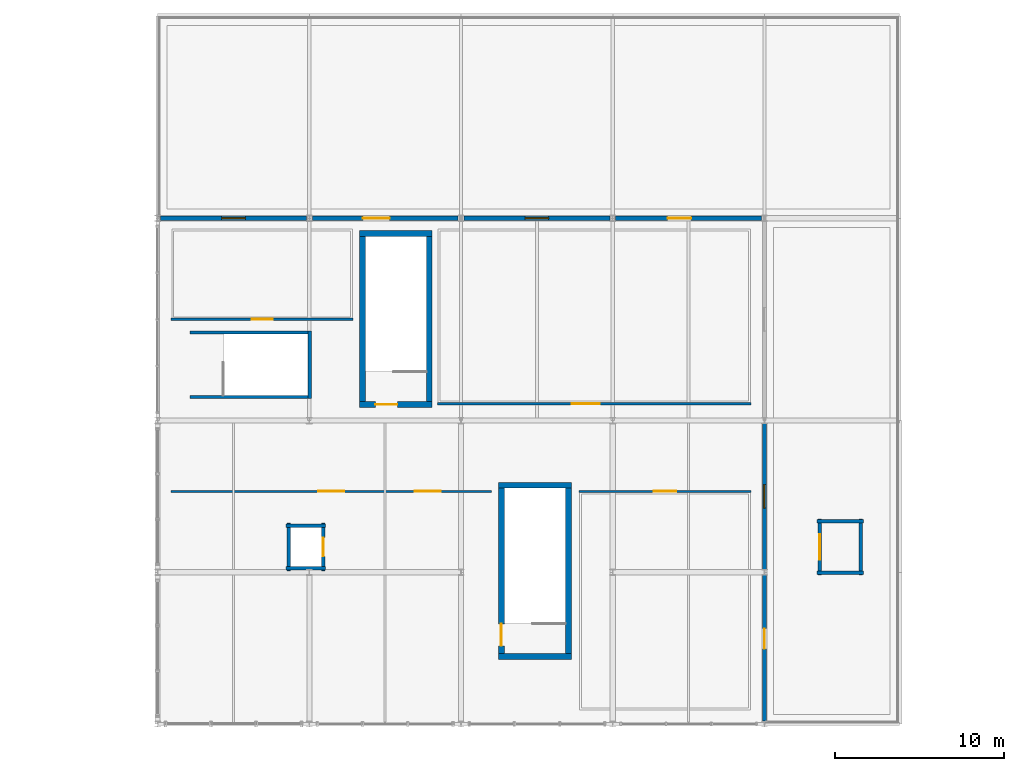
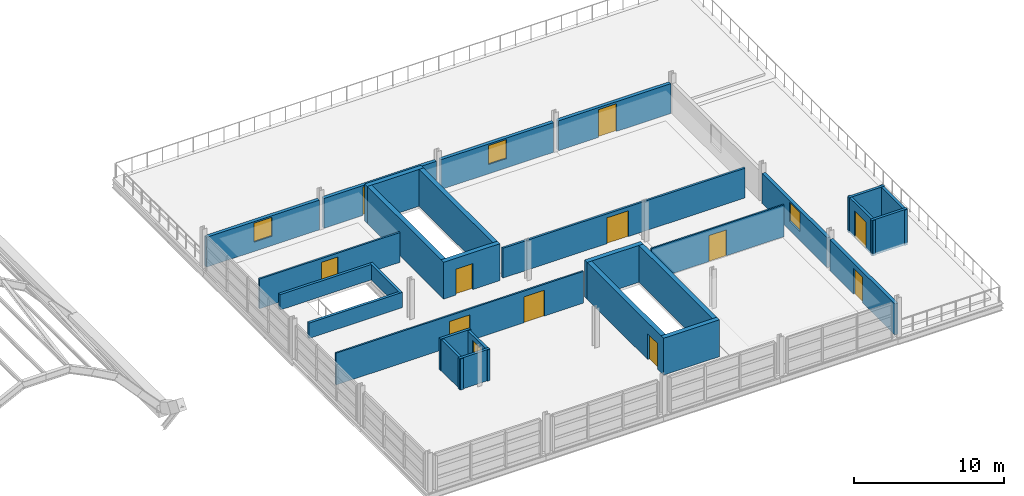
# One storey, part 77 of 86: 29 walls, 12 doors, 3 windows, 15 openings.
"""IFC4 building model written with IfcOpenShell, lengths in metres."""

from ifc_helpers import new_model, si_unit, direction, frame, frame_2d, origin, place, context, subcontext, project, spatial, rectangle, extrude, material, layer, layer_set, type_object, element, fill, save


model = new_model("IFC4")

# Units and contexts
model_context = context("Model", 3, precision=1e-05, world=origin(), true_north=direction((0.0, 1.0)))
body_context = subcontext(model_context, "Body", "Model", "MODEL_VIEW")
ifc_project = project(units=[si_unit("LENGTHUNIT", "METRE"), si_unit("AREAUNIT", "SQUARE_METRE"), si_unit("VOLUMEUNIT", "CUBIC_METRE"), si_unit("PLANEANGLEUNIT", "RADIAN"), si_unit("MASSUNIT", "GRAM", prefix="KILO")], contexts=[model_context])

# Site, building, storey
site_placement = place(None, origin())
site = spatial("IfcSite", under=ifc_project, at=site_placement, CompositionType="ELEMENT")
building_placement = place(site_placement, origin())
building = spatial("IfcBuilding", under=site, at=building_placement, Name="Chuanluo Vaults Station", CompositionType="ELEMENT")
storey_placement = place(building_placement, frame((0.0, 0.0, 14.39990234375)))
storey = spatial("IfcBuildingStorey", under=building, at=storey_placement, Name="L03", CompositionType="ELEMENT", Elevation=14.39990234375)

# Walls
ifc_material_1 = material(Name="Concrete C50", Category="concrete")
ifc_layer_1 = layer(ifc_material_1, 0.35009765625)
ifc_layer_set_1 = layer_set([ifc_layer_1], Name="Concrete C50")
wall_type_1 = type_object("IfcWallType", Name="WL-COR-350", PredefinedType="SHEAR", material=ifc_layer_set_1)
for number, where, z_axis, x_axis, name in (
    (1, (152.112548828125, 18.77490234375, 0.0), (0.0, 0.0, 1.0), (0.0, 1.0, 0.0), "Core K4 left shear wall"),
    (2, (148.142578125, 29.2724609375, 0.0), (0.0, 0.0, 1.0), (0.0, -1.0, 0.0), "Core K4 right shear wall"),
):
    element("IfcWall", number, at=place(storey_placement, frame(where, z_axis=z_axis, x_axis=x_axis)), inside=storey, type_object=wall_type_1, Name=name, PredefinedType="SHEAR", context=body_context, shape_type="SweptSolid", body=[
        extrude(rectangle(XDim=10.49755859375, YDim=0.35009765625, at=frame_2d((5.248779296875, 0.0))), origin(), (0.0, 0.0, 1.0), 2.9951171875),
    ])
wall_1_placement = place(storey_placement, frame((152.28759765625, 29.097412109375, 0.0), z_axis=(0.0, 0.0, 1.0), x_axis=(-1.0, 0.0, 0.0)))
element("IfcWall", 3, at=wall_1_placement, inside=storey, type_object=wall_type_1, Name="Core K4 far shear wall", PredefinedType="SHEAR", context=body_context, shape_type="SweptSolid", body=[
    extrude(rectangle(XDim=4.320068359375, YDim=0.35009765625, at=frame_2d((2.16015625, 0.0))), origin(), (0.0, 0.0, 1.0), 2.9951171875),
])

# Wall, opening, door
wall_2_placement = place(storey_placement, frame((147.967529296875, 18.949951171875, 0.0), z_axis=(0.0, 0.0, 1.0), x_axis=(1.0, 0.0, 0.0)))
wall_2 = element("IfcWall", 4, at=wall_2_placement, inside=storey, type_object=wall_type_1, Name="Core K4 near shear wall", PredefinedType="SHEAR", context=body_context, shape_type="SweptSolid", body=[
    extrude(rectangle(XDim=4.320068359375, YDim=0.35009765625, at=frame_2d((2.16015625, 0.0))), origin(), (0.0, 0.0, 1.0), 2.9951171875),
])
opening_1_placement = place(wall_2_placement, frame((0.949951171875, 0.0, 0.0)))
opening_1 = element("IfcOpeningElement", 5, at=opening_1_placement, cuts=wall_2, Name="Opening FD-05", PredefinedType="OPENING", context=body_context, shape_type="SweptSolid", body=[
    extrude(rectangle(XDim=1.300048828125, YDim=2.10009765625, at=frame_2d((0.64990234375, 1.050048828125))), frame((0.0, 0.18505, 0.0), z_axis=(0.0, -1.0, 0.0), x_axis=(1.0, 0.0, 0.0)), (0.0, 0.0, 1.0), 0.3701),
])
ifc_material_2 = material(Name="Fire-rated steel leaf", Category="steel")
door_type_1 = type_object("IfcDoorType", Name="DR-FIR-1300x2100", OperationType="NOTDEFINED", PredefinedType="DOOR", material=ifc_material_2)
door_1_placement = place(opening_1_placement, origin())
door_1 = element("IfcDoor", 6, at=door_1_placement, inside=storey, type_object=door_type_1, Name="D-083 Stair ST-04 fire door", OperationType="SINGLE_SWING_RIGHT", OverallHeight=2.10009765625, OverallWidth=1.300048828125, PredefinedType="DOOR", context=body_context, shape_type="SweptSolid", body=[
    extrude(rectangle(XDim=1.300048828125, YDim=2.10009765625, at=frame_2d((0.64990234375, 1.050048828125))), frame((0.0, 0.02490234375, 0.0), z_axis=(0.0, -1.0, 0.0), x_axis=(1.0, 0.0, 0.0)), (0.0, 0.0, 1.0), 0.050048828125),
])
fill(opening_1, door_1)

# Wall
wall_3_placement = place(storey_placement, frame((160.362548828125, 3.83740234375, 0.0), z_axis=(0.0, 0.0, 1.0), x_axis=(0.0, 1.0, 0.0)))
element("IfcWall", 7, at=wall_3_placement, inside=storey, type_object=wall_type_1, Name="Core K5 left shear wall", PredefinedType="SHEAR", context=body_context, shape_type="SweptSolid", body=[
    extrude(rectangle(XDim=10.49755859375, YDim=0.35009765625, at=frame_2d((5.248779296875, 0.0))), origin(), (0.0, 0.0, 1.0), 2.9951171875),
])

# Wall, opening, door
wall_4_placement = place(storey_placement, frame((156.392578125, 14.3349609375, 0.0), z_axis=(0.0, 0.0, 1.0), x_axis=(0.0, -1.0, 0.0)))
wall_4 = element("IfcWall", 8, at=wall_4_placement, inside=storey, type_object=wall_type_1, Name="Core K5 right shear wall", PredefinedType="SHEAR", context=body_context, shape_type="SweptSolid", body=[
    extrude(rectangle(XDim=10.49755859375, YDim=0.35009765625, at=frame_2d((5.248779296875, 0.0))), origin(), (0.0, 0.0, 1.0), 2.9951171875),
])
opening_2_placement = place(wall_4_placement, frame((8.3974609375, 0.0, 0.0)))
opening_2 = element("IfcOpeningElement", 9, at=opening_2_placement, cuts=wall_4, Name="Opening FD-05", PredefinedType="OPENING", context=body_context, shape_type="SweptSolid", body=[
    extrude(rectangle(XDim=1.300048828125, YDim=2.10009765625, at=frame_2d((0.64990234375, 1.050048828125))), frame((0.0, 0.18505, 0.0), z_axis=(0.0, -1.0, 0.0), x_axis=(1.0, 0.0, 0.0)), (0.0, 0.0, 1.0), 0.3701),
])
door_2_placement = place(opening_2_placement, origin())
door_2 = element("IfcDoor", 10, at=door_2_placement, inside=storey, type_object=door_type_1, Name="D-088 Stair ST-05 fire door", OperationType="SINGLE_SWING_LEFT", OverallHeight=2.10009765625, OverallWidth=1.300048828125, PredefinedType="DOOR", context=body_context, shape_type="SweptSolid", body=[
    extrude(rectangle(XDim=1.300048828125, YDim=2.10009765625, at=frame_2d((0.64990234375, 1.050048828125))), frame((0.0, 0.02490234375, 0.0), z_axis=(0.0, -1.0, 0.0), x_axis=(1.0, 0.0, 0.0)), (0.0, 0.0, 1.0), 0.050048828125),
])
fill(opening_2, door_2)

# Walls
for number, where, z_axis, x_axis, name in (
    (11, (160.53759765625, 14.159912109375, 0.0), (0.0, 0.0, 1.0), (-1.0, 0.0, 0.0), "Core K5 far shear wall"),
    (12, (156.217529296875, 4.012451171875, 0.0), (0.0, 0.0, 1.0), (1.0, 0.0, 0.0), "Core K5 near shear wall"),
):
    element("IfcWall", number, at=place(storey_placement, frame(where, z_axis=z_axis, x_axis=x_axis)), inside=storey, type_object=wall_type_1, Name=name, PredefinedType="SHEAR", context=body_context, shape_type="SweptSolid", body=[
        extrude(rectangle(XDim=4.320068359375, YDim=0.35009765625, at=frame_2d((2.16015625, 0.0))), origin(), (0.0, 0.0, 1.0), 2.9951171875),
    ])

# Wall, opening, window
ifc_material_3 = material(Name="Concrete C40", Category="concrete")
ifc_layer_2 = layer(ifc_material_3, 0.260009765625)
ifc_layer_set_2 = layer_set([ifc_layer_2], Name="Concrete C40")
wall_type_2 = type_object("IfcWallType", Name="WL-EXT-260", PredefinedType="SOLIDWALL", material=ifc_layer_set_2)
wall_5_placement = place(storey_placement, frame((136.175048828125, 30.0, 0.0), z_axis=(0.0, 0.0, 1.0), x_axis=(1.0, 0.0, 0.0)))
wall_5 = element("IfcWall", 13, at=wall_5_placement, inside=storey, type_object=wall_type_2, Name="L03 sky cafe north terrace wall 1A", PredefinedType="SOLIDWALL", context=body_context, shape_type="SweptSolid", body=[
    extrude(rectangle(XDim=8.64990234375, YDim=0.260009765625, at=frame_2d((4.324951171875, 0.0))), origin(), (0.0, 0.0, 1.0), 2.420166015625),
])
opening_3_placement = place(wall_5_placement, frame((3.625, 0.0, 0.75)))
opening_3 = element("IfcOpeningElement", 14, at=opening_3_placement, cuts=wall_5, Name="Opening W-41", PredefinedType="OPENING", context=body_context, shape_type="SweptSolid", body=[
    extrude(rectangle(XDim=1.39990234375, YDim=1.550048828125, at=frame_2d((0.699951171875, 0.77490234375))), frame((0.0, 0.13988, 0.0), z_axis=(0.0, -1.0, 0.0), x_axis=(1.0, 0.0, 0.0)), (0.0, 0.0, 1.0), 0.28001),
])
ifc_material_4 = material(Name="Double-silver Low-E laminated glass", Category="glass")
window_type = type_object("IfcWindowType", Name="WN-OPS-1400x1550", PartitioningType="SINGLE_PANEL", PredefinedType="WINDOW", material=ifc_material_4)
window_1_placement = place(opening_3_placement, origin())
window_1 = element("IfcWindow", 15, at=window_1_placement, inside=storey, type_object=window_type, Name="W-118 L03 sky cafe north terrace wall 1A window", OverallHeight=1.550048828125, OverallWidth=1.39990234375, PartitioningType="SINGLE_PANEL", PredefinedType="WINDOW", context=body_context, shape_type="SweptSolid", body=[
    extrude(rectangle(XDim=1.39990234375, YDim=1.550048828125, at=frame_2d((0.699951171875, 0.77490234375))), frame((0.0, 0.030029296875, 0.0), z_axis=(0.0, -1.0, 0.0), x_axis=(1.0, 0.0, 0.0)), (0.0, 0.0, 1.0), 0.06005859375),
])
fill(opening_3, window_1)

# Wall, opening, door
wall_6_placement = place(storey_placement, frame((145.175048828125, 30.0, 0.0), z_axis=(0.0, 0.0, 1.0), x_axis=(1.0, 0.0, 0.0)))
wall_6 = element("IfcWall", 16, at=wall_6_placement, inside=storey, type_object=wall_type_2, Name="L03 sky cafe north terrace wall 1B", PredefinedType="SOLIDWALL", context=body_context, shape_type="SweptSolid", body=[
    extrude(rectangle(XDim=8.64990234375, YDim=0.260009765625, at=frame_2d((4.324951171875, 0.0))), origin(), (0.0, 0.0, 1.0), 2.420166015625),
])
opening_4_placement = place(wall_6_placement, frame((2.993896484375, 0.0, 0.0)))
opening_4 = element("IfcOpeningElement", 17, at=opening_4_placement, cuts=wall_6, Name="Opening D-T01", PredefinedType="OPENING", context=body_context, shape_type="SweptSolid", body=[
    extrude(rectangle(XDim=1.60009765625, YDim=2.300048828125, at=frame_2d((0.800048828125, 1.14990234375))), frame((0.0, 0.13988, 0.0), z_axis=(0.0, -1.0, 0.0), x_axis=(1.0, 0.0, 0.0)), (0.0, 0.0, 1.0), 0.28001),
])
ifc_material_5 = material(Name="Anodised aluminium 6063-T6", Category="aluminium")
door_type_2 = type_object("IfcDoorType", Name="DR-TER-1600x2300", OperationType="NOTDEFINED", PredefinedType="DOOR", material=ifc_material_5)
door_3_placement = place(opening_4_placement, origin())
door_3 = element("IfcDoor", 18, at=door_3_placement, inside=storey, type_object=door_type_2, Name="D-052 L03 sky cafe north terrace wall 1B terrace door", OperationType="SINGLE_SWING_LEFT", OverallHeight=2.300048828125, OverallWidth=1.60009765625, PredefinedType="DOOR", context=body_context, shape_type="SweptSolid", body=[
    extrude(rectangle(XDim=1.60009765625, YDim=2.300048828125, at=frame_2d((0.800048828125, 1.14990234375))), frame((0.0, 0.02490234375, 0.0), z_axis=(0.0, -1.0, 0.0), x_axis=(1.0, 0.0, 0.0)), (0.0, 0.0, 1.0), 0.050048828125),
])
fill(opening_4, door_3)

# Wall, opening, window
wall_7_placement = place(storey_placement, frame((154.175048828125, 30.0, 0.0), z_axis=(0.0, 0.0, 1.0), x_axis=(1.0, 0.0, 0.0)))
wall_7 = element("IfcWall", 19, at=wall_7_placement, inside=storey, type_object=wall_type_2, Name="L03 sky cafe north terrace wall 2A", PredefinedType="SOLIDWALL", context=body_context, shape_type="SweptSolid", body=[
    extrude(rectangle(XDim=8.64990234375, YDim=0.260009765625, at=frame_2d((4.324951171875, 0.0))), origin(), (0.0, 0.0, 1.0), 2.420166015625),
])
opening_5_placement = place(wall_7_placement, frame((3.625, 0.0, 0.75)))
opening_5 = element("IfcOpeningElement", 20, at=opening_5_placement, cuts=wall_7, Name="Opening W-41", PredefinedType="OPENING", context=body_context, shape_type="SweptSolid", body=[
    extrude(rectangle(XDim=1.39990234375, YDim=1.550048828125, at=frame_2d((0.699951171875, 0.77490234375))), frame((0.0, 0.13988, 0.0), z_axis=(0.0, -1.0, 0.0), x_axis=(1.0, 0.0, 0.0)), (0.0, 0.0, 1.0), 0.28001),
])
window_2_placement = place(opening_5_placement, origin())
window_2 = element("IfcWindow", 21, at=window_2_placement, inside=storey, type_object=window_type, Name="W-119 L03 sky cafe north terrace wall 2A window", OverallHeight=1.550048828125, OverallWidth=1.39990234375, PartitioningType="SINGLE_PANEL", PredefinedType="WINDOW", context=body_context, shape_type="SweptSolid", body=[
    extrude(rectangle(XDim=1.39990234375, YDim=1.550048828125, at=frame_2d((0.699951171875, 0.77490234375))), frame((0.0, 0.030029296875, 0.0), z_axis=(0.0, -1.0, 0.0), x_axis=(1.0, 0.0, 0.0)), (0.0, 0.0, 1.0), 0.06005859375),
])
fill(opening_5, window_2)

# Wall, opening, door
wall_8_placement = place(storey_placement, frame((163.175048828125, 30.0, 0.0), z_axis=(0.0, 0.0, 1.0), x_axis=(1.0, 0.0, 0.0)))
wall_8 = element("IfcWall", 22, at=wall_8_placement, inside=storey, type_object=wall_type_2, Name="L03 sky cafe north terrace wall 2B", PredefinedType="SOLIDWALL", context=body_context, shape_type="SweptSolid", body=[
    extrude(rectangle(XDim=8.64990234375, YDim=0.260009765625, at=frame_2d((4.324951171875, 0.0))), origin(), (0.0, 0.0, 1.0), 2.420166015625),
])
opening_6_placement = place(wall_8_placement, frame((3.077880859375, 0.0, 0.0)))
opening_6 = element("IfcOpeningElement", 23, at=opening_6_placement, cuts=wall_8, Name="Opening D-T02", PredefinedType="OPENING", context=body_context, shape_type="SweptSolid", body=[
    extrude(rectangle(XDim=1.39990234375, YDim=2.25, at=frame_2d((0.699951171875, 1.125))), frame((0.0, 0.13988, 0.0), z_axis=(0.0, -1.0, 0.0), x_axis=(1.0, 0.0, 0.0)), (0.0, 0.0, 1.0), 0.28001),
])
ifc_material_6 = material(Name="Anodised aluminium 6063-T6", Category="aluminium")
door_type_3 = type_object("IfcDoorType", Name="DR-TER-1400x2250", OperationType="NOTDEFINED", PredefinedType="DOOR", material=ifc_material_6)
door_4_placement = place(opening_6_placement, origin())
door_4 = element("IfcDoor", 24, at=door_4_placement, inside=storey, type_object=door_type_3, Name="D-053 L03 sky cafe north terrace wall 2B terrace door", OperationType="SINGLE_SWING_RIGHT", OverallHeight=2.25, OverallWidth=1.39990234375, PredefinedType="DOOR", context=body_context, shape_type="SweptSolid", body=[
    extrude(rectangle(XDim=1.39990234375, YDim=2.25, at=frame_2d((0.699951171875, 1.125))), frame((0.0, 0.02490234375, 0.0), z_axis=(0.0, -1.0, 0.0), x_axis=(1.0, 0.0, 0.0)), (0.0, 0.0, 1.0), 0.050048828125),
])
fill(opening_6, door_4)

# Wall, opening, window
wall_9_placement = place(storey_placement, frame((172.0, 17.824951171875, 0.0), z_axis=(0.0, 0.0, 1.0), x_axis=(0.0, -1.0, 0.0)))
wall_9 = element("IfcWall", 25, at=wall_9_placement, inside=storey, type_object=wall_type_2, Name="L03 east terrace bar wall 2A", PredefinedType="SOLIDWALL", context=body_context, shape_type="SweptSolid", body=[
    extrude(rectangle(XDim=8.64990234375, YDim=0.260009765625, at=frame_2d((4.324951171875, 0.0))), origin(), (0.0, 0.0, 1.0), 2.420166015625),
])
opening_7_placement = place(wall_9_placement, frame((3.625, 0.0, 0.75)))
opening_7 = element("IfcOpeningElement", 26, at=opening_7_placement, cuts=wall_9, Name="Opening W-41", PredefinedType="OPENING", context=body_context, shape_type="SweptSolid", body=[
    extrude(rectangle(XDim=1.39990234375, YDim=1.550048828125, at=frame_2d((0.699951171875, 0.77490234375))), frame((0.0, 0.13988, 0.0), z_axis=(0.0, -1.0, 0.0), x_axis=(1.0, 0.0, 0.0)), (0.0, 0.0, 1.0), 0.28001),
])
window_3_placement = place(opening_7_placement, origin())
window_3 = element("IfcWindow", 27, at=window_3_placement, inside=storey, type_object=window_type, Name="W-121 L03 east terrace bar wall 2A window", OverallHeight=1.550048828125, OverallWidth=1.39990234375, PartitioningType="SINGLE_PANEL", PredefinedType="WINDOW", context=body_context, shape_type="SweptSolid", body=[
    extrude(rectangle(XDim=1.39990234375, YDim=1.550048828125, at=frame_2d((0.699951171875, 0.77490234375))), frame((0.0, 0.030029296875, 0.0), z_axis=(0.0, -1.0, 0.0), x_axis=(1.0, 0.0, 0.0)), (0.0, 0.0, 1.0), 0.06005859375),
])
fill(opening_7, window_3)

# Wall, opening, door
wall_10_placement = place(storey_placement, frame((172.0, 8.824951171875, 0.0), z_axis=(0.0, 0.0, 1.0), x_axis=(0.0, -1.0, 0.0)))
wall_10 = element("IfcWall", 28, at=wall_10_placement, inside=storey, type_object=wall_type_2, Name="L03 east terrace bar wall 2B", PredefinedType="SOLIDWALL", context=body_context, shape_type="SweptSolid", body=[
    extrude(rectangle(XDim=8.64990234375, YDim=0.260009765625, at=frame_2d((4.324951171875, 0.0))), origin(), (0.0, 0.0, 1.0), 2.510009765625),
])
opening_8_placement = place(wall_10_placement, frame((3.161865234375, 0.0, 0.0)))
opening_8 = element("IfcOpeningElement", 29, at=opening_8_placement, cuts=wall_10, Name="Opening D-T03", PredefinedType="OPENING", context=body_context, shape_type="SweptSolid", body=[
    extrude(rectangle(XDim=1.199951171875, YDim=2.10009765625, at=frame_2d((0.60009765625, 1.050048828125))), frame((0.0, 0.13988, 0.0), z_axis=(0.0, -1.0, 0.0), x_axis=(1.0, 0.0, 0.0)), (0.0, 0.0, 1.0), 0.28001),
])
ifc_material_7 = material(Name="Anodised aluminium 6063-T6", Category="aluminium")
door_type_4 = type_object("IfcDoorType", Name="DR-TER-1200x2100", OperationType="NOTDEFINED", PredefinedType="DOOR", material=ifc_material_7)
door_5_placement = place(opening_8_placement, origin())
door_5 = element("IfcDoor", 30, at=door_5_placement, inside=storey, type_object=door_type_4, Name="D-054 L03 east terrace bar wall 2B terrace door", OperationType="SINGLE_SWING_LEFT", OverallHeight=2.10009765625, OverallWidth=1.199951171875, PredefinedType="DOOR", context=body_context, shape_type="SweptSolid", body=[
    extrude(rectangle(XDim=1.199951171875, YDim=2.10009765625, at=frame_2d((0.60009765625, 1.050048828125))), frame((0.0, 0.02490234375, 0.0), z_axis=(0.0, -1.0, 0.0), x_axis=(1.0, 0.0, 0.0)), (0.0, 0.0, 1.0), 0.050048828125),
])
fill(opening_8, door_5)

ifc_material_8 = material(Name="Masonry blockwork M10", Category="masonry")
ifc_layer_3 = layer(ifc_material_8, 0.1201171875)
ifc_layer_set_3 = layer_set([ifc_layer_3], Name="Masonry blockwork M10")
wall_type_3 = type_object("IfcWallType", Name="WL-PRT-120", PredefinedType="PARTITIONING", material=ifc_layer_set_3)
wall_11_placement = place(storey_placement, frame((161.0, 13.800048828125, 0.0), z_axis=(0.0, 0.0, 1.0), x_axis=(1.0, 0.0, 0.0)))
wall_11 = element("IfcWall", 31, at=wall_11_placement, inside=storey, type_object=wall_type_3, Name="L03-03 Pavilion Terrace Bar N partition", PredefinedType="PARTITIONING", context=body_context, shape_type="SweptSolid", body=[
    extrude(rectangle(XDim=10.199951171875, YDim=0.1201171875, at=frame_2d((5.10009765625, 0.0))), origin(), (0.0, 0.0, 1.0), 2.580078125),
])
opening_9_placement = place(wall_11_placement, frame((4.425048828125, 0.0, 0.0)))
opening_9 = element("IfcOpeningElement", 32, at=opening_9_placement, cuts=wall_11, Name="Opening D-I04", PredefinedType="OPENING", context=body_context, shape_type="SweptSolid", body=[
    extrude(rectangle(XDim=1.35009765625, YDim=2.10009765625, at=frame_2d((0.675048828125, 1.050048828125))), frame((0.0, 0.07006, 0.0), z_axis=(0.0, -1.0, 0.0), x_axis=(1.0, 0.0, 0.0)), (0.0, 0.0, 1.0), 0.14012),
])
ifc_material_9 = material(Name="Anodised aluminium 6063-T6", Category="aluminium")
door_type_5 = type_object("IfcDoorType", Name="DR-INT-1350x2100", OperationType="NOTDEFINED", PredefinedType="DOOR", material=ifc_material_9)
door_6_placement = place(opening_9_placement, origin())
door_6 = element("IfcDoor", 33, at=door_6_placement, inside=storey, type_object=door_type_5, Name="D-222 Pavilion Terrace Bar door", OperationType="SINGLE_SWING_LEFT", OverallHeight=2.10009765625, OverallWidth=1.35009765625, PredefinedType="DOOR", context=body_context, shape_type="SweptSolid", body=[
    extrude(rectangle(XDim=1.35009765625, YDim=2.10009765625, at=frame_2d((0.675048828125, 1.050048828125))), frame((0.0, 0.02490234375, 0.0), z_axis=(0.0, -1.0, 0.0), x_axis=(1.0, 0.0, 0.0)), (0.0, 0.0, 1.0), 0.050048828125),
])
fill(opening_9, door_6)

# Wall, openings, doors
ifc_material_10 = material(Name="Masonry blockwork M10", Category="masonry")
ifc_layer_4 = layer(ifc_material_10, 0.1298828125)
ifc_layer_set_4 = layer_set([ifc_layer_4], Name="Masonry blockwork M10")
wall_type_4 = type_object("IfcWallType", Name="WL-PRT-130", PredefinedType="PARTITIONING", material=ifc_layer_set_4)
wall_12_placement = place(storey_placement, frame((136.800048828125, 13.800048828125, 0.0), z_axis=(0.0, 0.0, 1.0), x_axis=(1.0, 0.0, 0.0)))
wall_12 = element("IfcWall", 34, at=wall_12_placement, inside=storey, type_object=wall_type_4, Name="L03-02 Artisan Roastery and Bakery N partition", PredefinedType="PARTITIONING", context=body_context, shape_type="SweptSolid", body=[
    extrude(rectangle(XDim=19.0, YDim=0.1298828125, at=frame_2d((9.5, 0.0))), origin(), (0.0, 0.0, 1.0), 2.580078125),
])
opening_10_placement = place(wall_12_placement, frame((8.72509765625, 0.0, 0.0)))
opening_10 = element("IfcOpeningElement", 35, at=opening_10_placement, cuts=wall_12, Name="Opening D-I03", PredefinedType="OPENING", context=body_context, shape_type="SweptSolid", body=[
    extrude(rectangle(XDim=1.550048828125, YDim=2.10009765625, at=frame_2d((0.77490234375, 1.050048828125))), frame((0.0, 0.07494, 0.0), z_axis=(0.0, -1.0, 0.0), x_axis=(1.0, 0.0, 0.0)), (0.0, 0.0, 1.0), 0.14988),
])
opening_11_placement = place(wall_12_placement, frame((14.43994140625, 0.0, 0.0)))
opening_11 = element("IfcOpeningElement", 36, at=opening_11_placement, cuts=wall_12, Name="Opening D-I03", PredefinedType="OPENING", context=body_context, shape_type="SweptSolid", body=[
    extrude(rectangle(XDim=1.550048828125, YDim=2.10009765625, at=frame_2d((0.77490234375, 1.050048828125))), frame((0.0, 0.07494, 0.0), z_axis=(0.0, -1.0, 0.0), x_axis=(1.0, 0.0, 0.0)), (0.0, 0.0, 1.0), 0.14988),
])
ifc_material_11 = material(Name="Anodised aluminium 6063-T6", Category="aluminium")
door_type_6 = type_object("IfcDoorType", Name="DR-INT-1550x2100", OperationType="NOTDEFINED", PredefinedType="DOOR", material=ifc_material_11)
door_7_placement = place(opening_10_placement, origin())
door_7 = element("IfcDoor", 37, at=door_7_placement, inside=storey, type_object=door_type_6, Name="D-220 Artisan Roastery and Bakery door", OperationType="SINGLE_SWING_LEFT", OverallHeight=2.10009765625, OverallWidth=1.550048828125, PredefinedType="DOOR", context=body_context, shape_type="SweptSolid", body=[
    extrude(rectangle(XDim=1.550048828125, YDim=2.10009765625, at=frame_2d((0.77490234375, 1.050048828125))), frame((0.0, 0.02490234375, 0.0), z_axis=(0.0, -1.0, 0.0), x_axis=(1.0, 0.0, 0.0)), (0.0, 0.0, 1.0), 0.050048828125),
])
fill(opening_10, door_7)
door_8_placement = place(opening_11_placement, origin())
door_8 = element("IfcDoor", 38, at=door_8_placement, inside=storey, type_object=door_type_6, Name="D-221 Artisan Roastery and Bakery secondary exit door", OperationType="SINGLE_SWING_RIGHT", OverallHeight=2.10009765625, OverallWidth=1.550048828125, PredefinedType="DOOR", context=body_context, shape_type="SweptSolid", body=[
    extrude(rectangle(XDim=1.550048828125, YDim=2.10009765625, at=frame_2d((0.77490234375, 1.050048828125))), frame((0.0, 0.02490234375, 0.0), z_axis=(0.0, -1.0, 0.0), x_axis=(1.0, 0.0, 0.0)), (0.0, 0.0, 1.0), 0.050048828125),
])
fill(opening_11, door_8)

# Wall, opening, door
ifc_material_12 = material(Name="Autoclaved aerated concrete blockwork MU10", Category="masonry")
ifc_layer_5 = layer(ifc_material_12, 0.139892578125)
ifc_layer_set_5 = layer_set([ifc_layer_5], Name="Autoclaved aerated concrete blockwork MU10")
wall_type_5 = type_object("IfcWallType", Name="WL-PRT-140", PredefinedType="PARTITIONING", material=ifc_layer_set_5)
wall_13_placement = place(storey_placement, frame((147.60009765625, 24.0, 0.0), z_axis=(0.0, 0.0, 1.0), x_axis=(-1.0, 0.0, 0.0)))
wall_13 = element("IfcWall", 39, at=wall_13_placement, inside=storey, type_object=wall_type_5, Name="L03-01C West Roastery Tasting Salon S partition", PredefinedType="PARTITIONING", context=body_context, shape_type="SweptSolid", body=[
    extrude(rectangle(XDim=10.800048828125, YDim=0.139892578125, at=frame_2d((5.39990234375, 0.0))), origin(), (0.0, 0.0, 1.0), 2.420166015625),
])
opening_12_placement = place(wall_13_placement, frame((4.77490234375, 0.0, 0.0)))
opening_12 = element("IfcOpeningElement", 40, at=opening_12_placement, cuts=wall_13, Name="Opening D-I05", PredefinedType="OPENING", context=body_context, shape_type="SweptSolid", body=[
    extrude(rectangle(XDim=1.25, YDim=2.10009765625, at=frame_2d((0.625, 1.050048828125))), frame((0.0, 0.07982, 0.0), z_axis=(0.0, -1.0, 0.0), x_axis=(1.0, 0.0, 0.0)), (0.0, 0.0, 1.0), 0.15989),
])
ifc_material_13 = material(Name="Anodised aluminium 6063-T6", Category="aluminium")
door_type_7 = type_object("IfcDoorType", Name="DR-INT-1250x2100", OperationType="NOTDEFINED", PredefinedType="DOOR", material=ifc_material_13)
door_9_placement = place(opening_12_placement, origin())
door_9 = element("IfcDoor", 41, at=door_9_placement, inside=storey, type_object=door_type_7, Name="D-219 West Roastery Tasting Salon door", OperationType="SINGLE_SWING_RIGHT", OverallHeight=2.10009765625, OverallWidth=1.25, PredefinedType="DOOR", context=body_context, shape_type="SweptSolid", body=[
    extrude(rectangle(XDim=1.25, YDim=2.10009765625, at=frame_2d((0.625, 1.050048828125))), frame((0.0, 0.02490234375, 0.0), z_axis=(0.0, -1.0, 0.0), x_axis=(1.0, 0.0, 0.0)), (0.0, 0.0, 1.0), 0.050048828125),
])
fill(opening_12, door_9)

ifc_material_14 = material(Name="Autoclaved aerated concrete blockwork MU10", Category="masonry")
ifc_layer_6 = layer(ifc_material_14, 0.159912109375)
ifc_layer_set_6 = layer_set([ifc_layer_6], Name="Autoclaved aerated concrete blockwork MU10")
wall_type_6 = type_object("IfcWallType", Name="WL-PRT-160", PredefinedType="PARTITIONING", material=ifc_layer_set_6)
wall_14_placement = place(storey_placement, frame((171.199951171875, 19.0, 0.0), z_axis=(0.0, 0.0, 1.0), x_axis=(-1.0, 0.0, 0.0)))
wall_14 = element("IfcWall", 42, at=wall_14_placement, inside=storey, type_object=wall_type_6, Name="L03-01 Sky Garden Cafe Lounge S partition", PredefinedType="PARTITIONING", context=body_context, shape_type="SweptSolid", body=[
    extrude(rectangle(XDim=18.599853515625, YDim=0.159912109375, at=frame_2d((9.2998046875, 0.0))), origin(), (0.0, 0.0, 1.0), 2.420166015625),
])
opening_13_placement = place(wall_14_placement, frame((8.97509765625, 0.0, 0.0)))
opening_13 = element("IfcOpeningElement", 43, at=opening_13_placement, cuts=wall_14, Name="Opening D-I02", PredefinedType="OPENING", context=body_context, shape_type="SweptSolid", body=[
    extrude(rectangle(XDim=1.64990234375, YDim=2.10009765625, at=frame_2d((0.824951171875, 1.050048828125))), frame((0.0, 0.09008, 0.0), z_axis=(0.0, -1.0, 0.0), x_axis=(1.0, 0.0, 0.0)), (0.0, 0.0, 1.0), 0.17991),
])
ifc_material_15 = material(Name="Anodised aluminium 6063-T6", Category="aluminium")
door_type_8 = type_object("IfcDoorType", Name="DR-INT-1650x2100", OperationType="NOTDEFINED", PredefinedType="DOOR", material=ifc_material_15)
door_10_placement = place(opening_13_placement, origin())
door_10 = element("IfcDoor", 44, at=door_10_placement, inside=storey, type_object=door_type_8, Name="D-218 Sky Garden Cafe Lounge door", OperationType="SINGLE_SWING_LEFT", OverallHeight=2.10009765625, OverallWidth=1.64990234375, PredefinedType="DOOR", context=body_context, shape_type="SweptSolid", body=[
    extrude(rectangle(XDim=1.64990234375, YDim=2.10009765625, at=frame_2d((0.824951171875, 1.050048828125))), frame((0.0, 0.02490234375, 0.0), z_axis=(0.0, -1.0, 0.0), x_axis=(1.0, 0.0, 0.0)), (0.0, 0.0, 1.0), 0.050048828125),
])
fill(opening_13, door_10)

# Walls
ifc_material_16 = material(Name="Concrete C40", Category="concrete")
ifc_layer_7 = layer(ifc_material_16, 0.199951171875)
ifc_layer_set_7 = layer_set([ifc_layer_7], Name="Concrete C40")
wall_type_7 = type_object("IfcWallType", Name="WL-SHF-200", PredefinedType="SOLIDWALL", material=ifc_layer_set_7)
for number, where, z_axis, x_axis, name in (
    (45, (137.925048828125, 19.39990234375, 0.0), (0.0, 0.0, 1.0), (1.0, 0.0, 0.0), "Stair ST-28 south shaft wall L03"),
    (46, (145.12255859375, 23.219970703125, 0.0), (0.0, 0.0, 1.0), (-1.0, 0.0, 0.0), "Stair ST-28 north shaft wall L03"),
):
    element("IfcWall", number, at=place(storey_placement, frame(where, z_axis=z_axis, x_axis=x_axis)), inside=storey, type_object=wall_type_7, Name=name, PredefinedType="SOLIDWALL", context=body_context, shape_type="SweptSolid", body=[
        extrude(rectangle(XDim=7.197509765625, YDim=0.199951171875, at=frame_2d((3.5986328125, 0.0))), origin(), (0.0, 0.0, 1.0), 1.25),
    ])
wall_15_placement = place(storey_placement, frame((145.0224609375, 19.300048828125, 0.0), z_axis=(0.0, 0.0, 1.0), x_axis=(0.0, 1.0, 0.0)))
element("IfcWall", 47, at=wall_15_placement, inside=storey, type_object=wall_type_7, Name="Stair ST-28 far shaft wall L03", PredefinedType="SOLIDWALL", context=body_context, shape_type="SweptSolid", body=[
    extrude(rectangle(XDim=4.02001953125, YDim=0.199951171875, at=frame_2d((2.010009765625, 0.0))), origin(), (0.0, 0.0, 1.0), 1.25),
])
wall_16_placement = place(storey_placement, frame((143.6298828125, 9.22998046875, 0.0), z_axis=(0.0, 0.0, 1.0), x_axis=(1.0, 0.0, 0.0)))
element("IfcWall", 48, at=wall_16_placement, inside=storey, type_object=wall_type_7, Name="Lift EL-02 shaft wall L03 -Y", PredefinedType="SOLIDWALL", context=body_context, shape_type="SweptSolid", body=[
    extrude(rectangle(XDim=2.340087890625, YDim=0.199951171875, at=frame_2d((1.169921875, 0.0))), origin(), (0.0, 0.0, 1.0), 2.530029296875),
])
wall_17_placement = place(storey_placement, frame((145.969970703125, 11.77001953125, 0.0), z_axis=(0.0, 0.0, 1.0), x_axis=(-1.0, 0.0, 0.0)))
element("IfcWall", 49, at=wall_17_placement, inside=storey, type_object=wall_type_7, Name="Lift EL-02 shaft wall L03 +Y", PredefinedType="SOLIDWALL", context=body_context, shape_type="SweptSolid", body=[
    extrude(rectangle(XDim=2.340087890625, YDim=0.199951171875, at=frame_2d((1.169921875, 0.0))), origin(), (0.0, 0.0, 1.0), 2.580078125),
])
wall_18_placement = place(storey_placement, frame((143.780029296875, 11.919921875, 0.0), z_axis=(0.0, 0.0, 1.0), x_axis=(0.0, -1.0, 0.0)))
element("IfcWall", 50, at=wall_18_placement, inside=storey, type_object=wall_type_7, Name="Lift EL-02 shaft wall L03 -X", PredefinedType="SOLIDWALL", context=body_context, shape_type="SweptSolid", body=[
    extrude(rectangle(XDim=2.83984375, YDim=0.199951171875, at=frame_2d((1.419921875, 0.0))), origin(), (0.0, 0.0, 1.0), 2.530029296875),
])

# Wall, opening, door
wall_19_placement = place(storey_placement, frame((145.820068359375, 9.080078125, 0.0), z_axis=(0.0, 0.0, 1.0), x_axis=(0.0, 1.0, 0.0)))
wall_19 = element("IfcWall", 51, at=wall_19_placement, inside=storey, type_object=wall_type_7, Name="Lift EL-02 shaft wall L03 +X", PredefinedType="SOLIDWALL", context=body_context, shape_type="SweptSolid", body=[
    extrude(rectangle(XDim=2.83984375, YDim=0.199951171875, at=frame_2d((1.419921875, 0.0))), origin(), (0.0, 0.0, 1.0), 2.530029296875),
])
opening_14_placement = place(wall_19_placement, frame((0.8701171875, 0.0, 0.0)))
opening_14 = element("IfcOpeningElement", 52, at=opening_14_placement, cuts=wall_19, Name="Opening LD-01", PredefinedType="OPENING", context=body_context, shape_type="SweptSolid", body=[
    extrude(rectangle(XDim=1.10009765625, YDim=2.14990234375, at=frame_2d((0.550048828125, 1.074951171875))), frame((0.0, 0.1101, 0.0), z_axis=(0.0, -1.0, 0.0), x_axis=(1.0, 0.0, 0.0)), (0.0, 0.0, 1.0), 0.21995),
])
ifc_material_17 = material(Name="Brushed stainless steel 304", Category="steel")
door_type_9 = type_object("IfcDoorType", Name="DR-LFT-1100x2150", OperationType="SLIDING_TO_LEFT", PredefinedType="DOOR", material=ifc_material_17)
door_11_placement = place(opening_14_placement, origin())
door_11 = element("IfcDoor", 53, at=door_11_placement, inside=storey, type_object=door_type_9, Name="LD-EL-02-05 Lift EL-02 sliding landing door L03", OperationType="SLIDING_TO_LEFT", OverallHeight=2.14990234375, OverallWidth=1.10009765625, PredefinedType="DOOR", context=body_context, shape_type="SweptSolid", body=[
    extrude(rectangle(XDim=1.10009765625, YDim=2.14990234375, at=frame_2d((0.550048828125, 1.074951171875))), frame((0.0, 0.02490234375, 0.0), z_axis=(0.0, -1.0, 0.0), x_axis=(1.0, 0.0, 0.0)), (0.0, 0.0, 1.0), 0.050048828125),
])
fill(opening_14, door_11)

# Walls
for number, where, z_axis, x_axis, name in (
    (54, (175.1298828125, 8.97998046875, 0.0), (0.0, 0.0, 1.0), (1.0, 0.0, 0.0), "Lift GL-01 shaft wall L03 -Y"),
    (55, (177.8701171875, 12.02001953125, 0.0), (0.0, 0.0, 1.0), (-1.0, 0.0, 0.0), "Lift GL-01 shaft wall L03 +Y"),
):
    element("IfcWall", number, at=place(storey_placement, frame(where, z_axis=z_axis, x_axis=x_axis)), inside=storey, type_object=wall_type_7, Name=name, PredefinedType="SOLIDWALL", context=body_context, shape_type="SweptSolid", body=[
        extrude(rectangle(XDim=2.740234375, YDim=0.199951171875, at=frame_2d((1.3701171875, 0.0))), origin(), (0.0, 0.0, 1.0), 2.875),
    ])

# Wall, opening, door
wall_20_placement = place(storey_placement, frame((175.280029296875, 12.169921875, 0.0), z_axis=(0.0, 0.0, 1.0), x_axis=(0.0, -1.0, 0.0)))
wall_20 = element("IfcWall", 56, at=wall_20_placement, inside=storey, type_object=wall_type_7, Name="Lift GL-01 shaft wall L03 -X", PredefinedType="SOLIDWALL", context=body_context, shape_type="SweptSolid", body=[
    extrude(rectangle(XDim=3.33984375, YDim=0.199951171875, at=frame_2d((1.669921875, 0.0))), origin(), (0.0, 0.0, 1.0), 2.875),
])
opening_15_placement = place(wall_20_placement, frame((0.919921875, 0.0, 0.0)))
opening_15 = element("IfcOpeningElement", 57, at=opening_15_placement, cuts=wall_20, Name="Opening LD-03", PredefinedType="OPENING", context=body_context, shape_type="SweptSolid", body=[
    extrude(rectangle(XDim=1.5, YDim=2.199951171875, at=frame_2d((0.75, 1.10009765625))), frame((0.0, 0.1101, 0.0), z_axis=(0.0, -1.0, 0.0), x_axis=(1.0, 0.0, 0.0)), (0.0, 0.0, 1.0), 0.21995),
])
ifc_material_18 = material(Name="Brushed stainless steel 304", Category="steel")
door_type_10 = type_object("IfcDoorType", Name="DR-LFT-1500x2200", OperationType="SLIDING_TO_LEFT", PredefinedType="DOOR", material=ifc_material_18)
door_12_placement = place(opening_15_placement, origin())
door_12 = element("IfcDoor", 58, at=door_12_placement, inside=storey, type_object=door_type_10, Name="LD-GL-01-05 Lift GL-01 sliding landing door L03", OperationType="SLIDING_TO_LEFT", OverallHeight=2.199951171875, OverallWidth=1.5, PredefinedType="DOOR", context=body_context, shape_type="SweptSolid", body=[
    extrude(rectangle(XDim=1.5, YDim=2.199951171875, at=frame_2d((0.75, 1.10009765625))), frame((0.0, 0.02490234375, 0.0), z_axis=(0.0, -1.0, 0.0), x_axis=(1.0, 0.0, 0.0)), (0.0, 0.0, 1.0), 0.050048828125),
])
fill(opening_15, door_12)

# Wall
wall_21_placement = place(storey_placement, frame((177.719970703125, 8.830078125, 0.0), z_axis=(0.0, 0.0, 1.0), x_axis=(0.0, 1.0, 0.0)))
element("IfcWall", 59, at=wall_21_placement, inside=storey, type_object=wall_type_7, Name="Lift GL-01 shaft wall L03 +X", PredefinedType="SOLIDWALL", context=body_context, shape_type="SweptSolid", body=[
    extrude(rectangle(XDim=3.33984375, YDim=0.199951171875, at=frame_2d((1.669921875, 0.0))), origin(), (0.0, 0.0, 1.0), 2.875),
])

save(model, "model.ifc")
